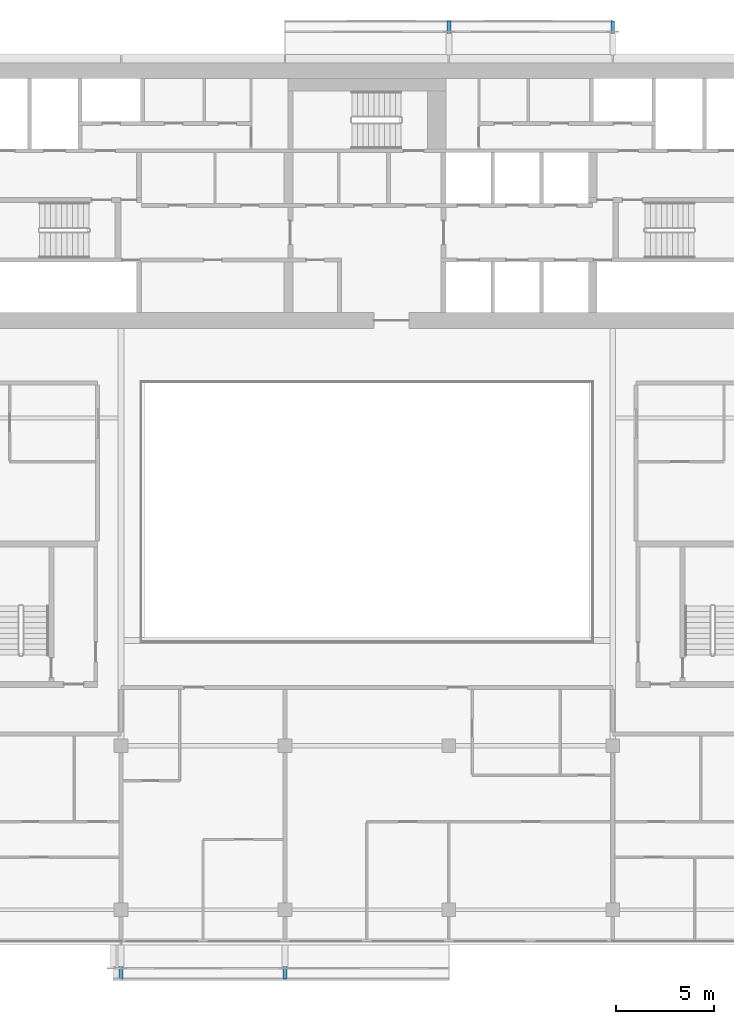
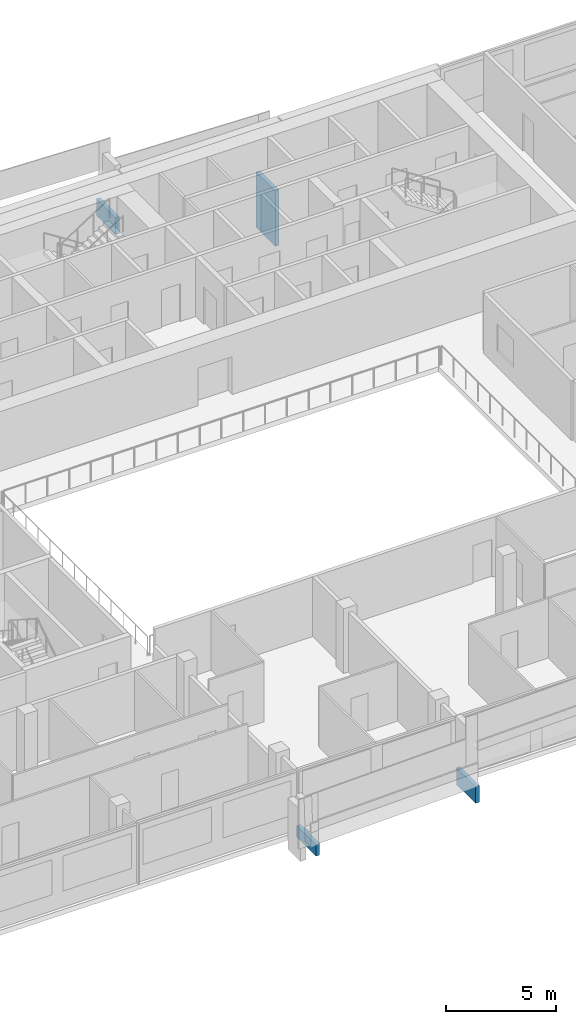
# One storey, part 26 of 28: 4 discrete accessories.
"""IFC4 building model written with IfcOpenShell, lengths in metres."""

from ifc_helpers import new_model, si_unit, direction, frame, origin, origin_2d, place, context, subcontext, project, spatial, rectangle, extrude, element, save


model = new_model("IFC4")

# Units and contexts
model_context = context("Model", 3, precision=1e-05, world=origin(), true_north=direction((0.0, 1.0)))
body_context = subcontext(model_context, "Body", "Model", "MODEL_VIEW")
ifc_project = project(units=[si_unit("LENGTHUNIT", "METRE"), si_unit("AREAUNIT", "SQUARE_METRE"), si_unit("VOLUMEUNIT", "CUBIC_METRE"), si_unit("PLANEANGLEUNIT", "RADIAN"), si_unit("MASSUNIT", "GRAM", prefix="KILO")], contexts=[model_context])

# Site, building, storey
site_placement = place(None, origin())
site = spatial("IfcSite", under=ifc_project, at=site_placement, CompositionType="ELEMENT")
building_placement = place(site_placement, origin())
building = spatial("IfcBuilding", under=site, at=building_placement, Name="Saffron Gate Tower", CompositionType="ELEMENT")
storey_placement = place(building_placement, frame((0.0, 0.0, 151.050048828125)))
storey = spatial("IfcBuildingStorey", under=building, at=storey_placement, Name="L36", CompositionType="ELEMENT", Elevation=151.050048828125)

# Discrete accessories
discrete_accessory_1_placement = place(storey_placement, frame((75.0, 29.125, -0.280029296875), z_axis=(0.0, 0.0, 1.0), x_axis=(1.0, 0.0, 0.0)))
element("IfcDiscreteAccessory", 1, at=discrete_accessory_1_placement, inside=storey, Name="LEDGE rib", PredefinedType="BRACKET", context=body_context, shape_type="SweptSolid", body=[
    extrude(rectangle(XDim=0.199951171875, YDim=1.75, at=origin_2d()), origin(), (0.0, 0.0, 1.0), 0.6376953125),
])
discrete_accessory_2_placement = place(storey_placement, frame((83.39990234375, 29.125, -0.27978515625), z_axis=(0.0, 0.0, 1.0), x_axis=(1.0, 0.0, 0.0)))
element("IfcDiscreteAccessory", 2, at=discrete_accessory_2_placement, inside=storey, Name="LEDGE rib", PredefinedType="BRACKET", context=body_context, shape_type="SweptSolid", body=[
    extrude(rectangle(XDim=0.199951171875, YDim=1.75, at=origin_2d()), origin(), (0.0, 0.0, 1.0), 0.936767578125),
])
discrete_accessory_3_placement = place(storey_placement, frame((100.199951171875, 76.47509765625, -3.8798828125), z_axis=(0.0, 0.0, 1.0), x_axis=(-1.0, 0.0, 0.0)))
element("IfcDiscreteAccessory", 3, at=discrete_accessory_3_placement, inside=storey, Name="LEDGE rib", PredefinedType="BRACKET", context=body_context, shape_type="SweptSolid", body=[
    extrude(rectangle(XDim=0.199951171875, YDim=1.75, at=origin_2d()), origin(), (0.0, 0.0, 1.0), 3.094482421875),
])
discrete_accessory_4_placement = place(storey_placement, frame((91.800048828125, 76.47509765625, -0.27978515625), z_axis=(0.0, 0.0, 1.0), x_axis=(-1.0, 0.0, 0.0)))
element("IfcDiscreteAccessory", 4, at=discrete_accessory_4_placement, inside=storey, Name="LEDGE rib", PredefinedType="BRACKET", context=body_context, shape_type="SweptSolid", body=[
    extrude(rectangle(XDim=0.199951171875, YDim=1.75, at=origin_2d()), origin(), (0.0, 0.0, 1.0), 0.936767578125),
])

save(model, "model.ifc")
